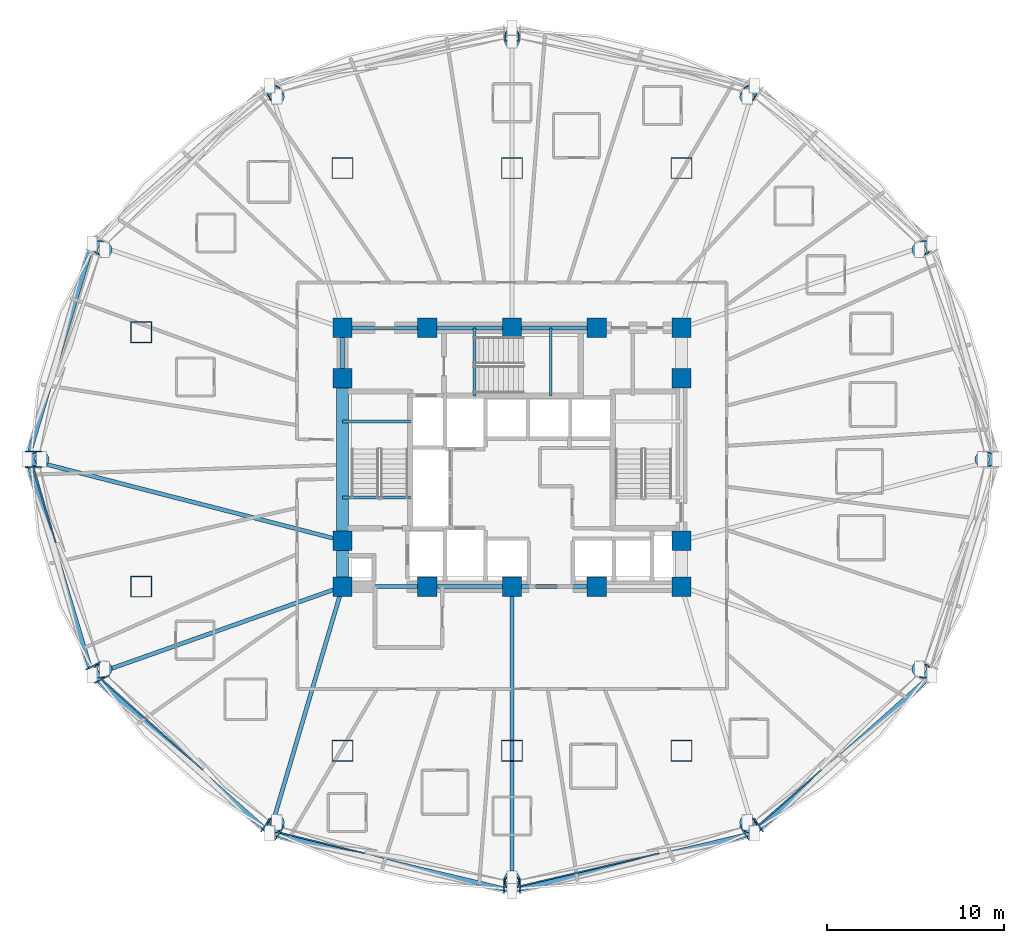
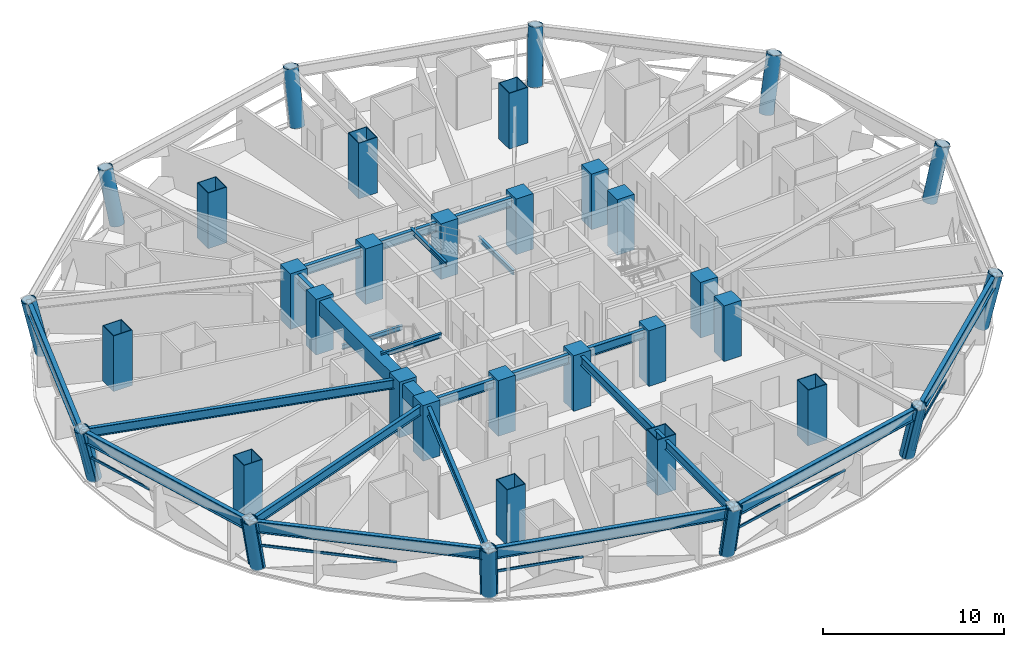
# One storey, part 1 of 13: 34 columns, 23 beams, 15 members, 6 elements without a shape of their own.
"""IFC4 building model written with IfcOpenShell, lengths in metres."""

from ifc_helpers import new_model, si_unit, direction, frame, origin, origin_2d, place, context, subcontext, project, spatial, rectangle, hollow_rectangle, hollow_circle, i_section, extrude, material, layer, layer_set, material_profile, profile_set, type_object, element, aggregate, save


model = new_model("IFC4")

# Units and contexts
model_context = context("Model", 3, precision=1e-05, world=origin(), true_north=direction((0.0, 1.0)))
body_context = subcontext(model_context, "Body", "Model", "MODEL_VIEW")
ifc_project = project(units=[si_unit("LENGTHUNIT", "METRE"), si_unit("AREAUNIT", "SQUARE_METRE"), si_unit("VOLUMEUNIT", "CUBIC_METRE"), si_unit("PLANEANGLEUNIT", "RADIAN"), si_unit("MASSUNIT", "GRAM", prefix="KILO")], contexts=[model_context])

# Site, building, storey
site_placement = place(None, origin())
site = spatial("IfcSite", under=ifc_project, at=site_placement, CompositionType="ELEMENT")
building_placement = place(site_placement, origin())
building = spatial("IfcBuilding", under=site, at=building_placement, Name="Vantalir Tower", CompositionType="ELEMENT")
storey_placement = place(building_placement, frame((0.0, 0.0, 53.25)))
storey = spatial("IfcBuildingStorey", under=building, at=storey_placement, Name="L12", CompositionType="ELEMENT", Elevation=53.25)

# Columns
ifc_material_1 = material(Name="Concrete C60/75", Category="concrete")
ifc_material_profile_1 = material_profile(ifc_material_1, rectangle(XDim=1.10009765625, YDim=1.10009765625, at=origin_2d()), Name="Concrete C60/75")
ifc_profile_set_1 = profile_set([ifc_material_profile_1], Name="Concrete C60/75")
column_type_1 = type_object("IfcColumnType", Name="COL-CC-1100", PredefinedType="COLUMN", material=ifc_profile_set_1)
for number, where, z_axis, x_axis, name in (
    (1, (21.89990234375, 17.800048828125, 0.0), (0.0, 0.0, 1.0), (1.0, 0.0, 0.0), "L12 Core Column CC01"),
    (2, (26.699951171875, 17.800048828125, 0.0), (0.0, 0.0, 1.0), (1.0, 0.0, 0.0), "L12 Core Column CC02"),
    (3, (31.5, 17.800048828125, 0.0), (0.0, 0.0, 1.0), (1.0, 0.0, 0.0), "L12 Core Column CC03"),
    (4, (36.300048828125, 17.800048828125, 0.0), (0.0, 0.0, 1.0), (1.0, 0.0, 0.0), "L12 Core Column CC04"),
    (5, (41.10009765625, 17.800048828125, 0.0), (0.0, 0.0, 1.0), (1.0, 0.0, 0.0), "L12 Core Column CC05"),
    (6, (21.89990234375, 20.39990234375, 0.0), (0.0, 0.0, 1.0), (1.0, 0.0, 0.0), "L12 Core Column CC06"),
    (7, (21.89990234375, 29.60009765625, 0.0), (0.0, 0.0, 1.0), (1.0, 0.0, 0.0), "L12 Core Column CC07"),
    (8, (41.10009765625, 20.39990234375, 0.0), (0.0, 0.0, 1.0), (1.0, 0.0, 0.0), "L12 Core Column CC08"),
    (9, (41.10009765625, 29.60009765625, 0.0), (0.0, 0.0, 1.0), (1.0, 0.0, 0.0), "L12 Core Column CC09"),
    (10, (21.89990234375, 32.449951171875, 0.0), (0.0, 0.0, 1.0), (1.0, 0.0, 0.0), "L12 Core Column CC10"),
    (11, (26.699951171875, 32.449951171875, 0.0), (0.0, 0.0, 1.0), (1.0, 0.0, 0.0), "L12 Core Column CC11"),
    (12, (31.5, 32.449951171875, 0.0), (0.0, 0.0, 1.0), (1.0, 0.0, 0.0), "L12 Core Column CC12"),
    (13, (36.300048828125, 32.449951171875, 0.0), (0.0, 0.0, 1.0), (1.0, 0.0, 0.0), "L12 Core Column CC13"),
    (14, (41.10009765625, 32.449951171875, 0.0), (0.0, 0.0, 1.0), (1.0, 0.0, 0.0), "L12 Core Column CC14"),
):
    element("IfcColumn", number, at=place(storey_placement, frame(where, z_axis=z_axis, x_axis=x_axis)), inside=storey, type_object=column_type_1, Name=name, PredefinedType="COLUMN", context=body_context, shape_type="SweptSolid", body=[
        extrude(rectangle(XDim=1.10009765625, YDim=1.10009765625, at=origin_2d()), origin(), (0.0, 0.0, 1.0), 3.75),
    ])
ifc_material_2 = material(Name="Steel S460", Category="steel")
ifc_material_profile_2 = material_profile(ifc_material_2, hollow_rectangle(XDim=1.199951171875, YDim=1.199951171875, WallThickness=0.044921875, at=origin_2d()), Name="Steel S460")
ifc_profile_set_2 = profile_set([ifc_material_profile_2], Name="Steel S460")
column_type_2 = type_object("IfcColumnType", Name="COL-MC-1200", PredefinedType="COLUMN", material=ifc_profile_set_2)
for number, where, z_axis, x_axis, name in (
    (15, (21.89990234375, 8.5, 0.0), (0.0, 0.0, 1.0), (1.0, 0.0, 0.0), "L12 S460 Mega-Column MC01"),
    (16, (31.5, 8.5, 0.0), (0.0, 0.0, 1.0), (1.0, 0.0, 0.0), "L12 S460 Mega-Column MC02"),
    (17, (41.10009765625, 8.5, 0.0), (0.0, 0.0, 1.0), (1.0, 0.0, 0.0), "L12 S460 Mega-Column MC03"),
    (18, (10.5, 17.800048828125, 0.0), (0.0, 0.0, 1.0), (1.0, 0.0, 0.0), "L12 S460 Mega-Column MC04"),
    (19, (10.5, 32.199951171875, 0.0), (0.0, 0.0, 1.0), (1.0, 0.0, 0.0), "L12 S460 Mega-Column MC05"),
    (20, (21.89990234375, 41.5, 0.0), (0.0, 0.0, 1.0), (1.0, 0.0, 0.0), "L12 S460 Mega-Column MC06"),
    (21, (31.5, 41.5, 0.0), (0.0, 0.0, 1.0), (1.0, 0.0, 0.0), "L12 S460 Mega-Column MC07"),
    (22, (41.10009765625, 41.5, 0.0), (0.0, 0.0, 1.0), (1.0, 0.0, 0.0), "L12 S460 Mega-Column MC08"),
):
    element("IfcColumn", number, at=place(storey_placement, frame(where, z_axis=z_axis, x_axis=x_axis)), inside=storey, type_object=column_type_2, Name=name, PredefinedType="COLUMN", context=body_context, shape_type="SweptSolid", body=[
        extrude(hollow_rectangle(XDim=1.199951171875, YDim=1.199951171875, WallThickness=0.044921875, at=origin_2d()), origin(), (0.0, 0.0, 1.0), 3.75),
    ])
ifc_material_profile_3 = material_profile(ifc_material_2, hollow_circle(Radius=0.425048828125, WallThickness=0.0400390625, at=origin_2d()), Name="Steel S460")
ifc_profile_set_3 = profile_set([ifc_material_profile_3], Name="Steel S460")
column_type_3 = type_object("IfcColumnType", Name="COL-RC-850", PredefinedType="COLUMN", material=ifc_profile_set_3)
column_1_placement = place(storey_placement, frame((58.138916015625, 25.0, 0.0), z_axis=(0.221785382613, 0.0, 0.975095505096), x_axis=(0.0, 1.0, 0.0)))
element("IfcColumn", 23, at=column_1_placement, inside=storey, type_object=column_type_3, Name="L12 Perimeter Ring Column RC01", PredefinedType="COLUMN", context=body_context, shape_type="SweptSolid", body=[
    extrude(hollow_circle(Radius=0.425048828125, WallThickness=0.0400390625, at=origin_2d()), origin(), (0.0, 0.0, 1.0), 3.6611328125),
])
column_2_placement = place(storey_placement, frame((54.570068359375, 36.863037109375, 0.0), z_axis=(0.192223999714, 0.099016391655, 0.976343017652), x_axis=(-0.45792701067, 0.888989793473, 0.0)))
element("IfcColumn", 24, at=column_2_placement, inside=storey, type_object=column_type_3, Name="L12 Perimeter Ring Column RC02", PredefinedType="COLUMN", context=body_context, shape_type="SweptSolid", body=[
    extrude(hollow_circle(Radius=0.425048828125, WallThickness=0.0400390625, at=origin_2d()), origin(), (0.0, 0.0, 1.0), 3.656494140625),
])
column_3_placement = place(storey_placement, frame((44.820068359375, 45.547119140625, 0.0), z_axis=(0.111309599924, 0.172151708361, 0.978761442985), x_axis=(-0.839754063035, 0.542966954443, 0.0)))
element("IfcColumn", 25, at=column_3_placement, inside=storey, type_object=column_type_3, Name="L12 Perimeter Ring Column RC03", PredefinedType="COLUMN", context=body_context, shape_type="SweptSolid", body=[
    extrude(hollow_circle(Radius=0.425048828125, WallThickness=0.0400390625, at=origin_2d()), origin(), (0.0, 0.0, 1.0), 3.6474609375),
])
column_4_placement = place(storey_placement, frame((31.5, 48.72607421875, 0.0), z_axis=(0.0, 0.198976453548, 0.980004270875), x_axis=(-1.0, 0.0, 0.0)))
element("IfcColumn", 26, at=column_4_placement, inside=storey, type_object=column_type_3, Name="L12 Perimeter Ring Column RC04", PredefinedType="COLUMN", context=body_context, shape_type="SweptSolid", body=[
    extrude(hollow_circle(Radius=0.425048828125, WallThickness=0.0400390625, at=origin_2d()), origin(), (0.0, 0.0, 1.0), 3.642822265625),
])
column_5_placement = place(storey_placement, frame((18.180908203125, 45.547119140625, 0.0), z_axis=(-0.111309599924, 0.172151708361, 0.978761442985), x_axis=(-0.839754063035, -0.542966954443, 0.0)))
element("IfcColumn", 27, at=column_5_placement, inside=storey, type_object=column_type_3, Name="L12 Perimeter Ring Column RC05", PredefinedType="COLUMN", context=body_context, shape_type="SweptSolid", body=[
    extrude(hollow_circle(Radius=0.425048828125, WallThickness=0.0400390625, at=origin_2d()), origin(), (0.0, 0.0, 1.0), 3.6474609375),
])
column_6_placement = place(storey_placement, frame((8.429931640625, 36.863037109375, 0.0), z_axis=(-0.192223999714, 0.099016391655, 0.976343017652), x_axis=(-0.45792701067, -0.888989793473, 0.0)))
element("IfcColumn", 28, at=column_6_placement, inside=storey, type_object=column_type_3, Name="L12 Perimeter Ring Column RC06", PredefinedType="COLUMN", context=body_context, shape_type="SweptSolid", body=[
    extrude(hollow_circle(Radius=0.425048828125, WallThickness=0.0400390625, at=origin_2d()), origin(), (0.0, 0.0, 1.0), 3.656494140625),
])
column_7_placement = place(storey_placement, frame((4.861083984375, 25.0, 0.0), z_axis=(-0.221785382613, 0.0, 0.975095505096), x_axis=(0.0, -1.0, 0.0)))
element("IfcColumn", 29, at=column_7_placement, inside=storey, type_object=column_type_3, Name="L12 Perimeter Ring Column RC07", PredefinedType="COLUMN", context=body_context, shape_type="SweptSolid", body=[
    extrude(hollow_circle(Radius=0.425048828125, WallThickness=0.0400390625, at=origin_2d()), origin(), (0.0, 0.0, 1.0), 3.6611328125),
])
column_8_placement = place(storey_placement, frame((8.429931640625, 13.136962890625, 0.0), z_axis=(-0.192218909821, -0.099280833242, 0.976317165095), x_axis=(0.458902314779, -0.888486727808, 0.0)))
element("IfcColumn", 30, at=column_8_placement, inside=storey, type_object=column_type_3, Name="L12 Perimeter Ring Column RC08", PredefinedType="COLUMN", context=body_context, shape_type="SweptSolid", body=[
    extrude(hollow_circle(Radius=0.425048828125, WallThickness=0.0400390625, at=origin_2d()), origin(), (0.0, 0.0, 1.0), 3.65673828125),
])
column_9_placement = place(storey_placement, frame((18.179931640625, 4.452880859375, 0.0), z_axis=(-0.111309599924, -0.172151708361, 0.978761442985), x_axis=(0.839754063035, -0.542966954443, 0.0)))
element("IfcColumn", 31, at=column_9_placement, inside=storey, type_object=column_type_3, Name="L12 Perimeter Ring Column RC09", PredefinedType="COLUMN", context=body_context, shape_type="SweptSolid", body=[
    extrude(hollow_circle(Radius=0.425048828125, WallThickness=0.0400390625, at=origin_2d()), origin(), (0.0, 0.0, 1.0), 3.6474609375),
])
column_10_placement = place(storey_placement, frame((31.5, 1.27392578125, 0.0), z_axis=(0.0, -0.198976453548, 0.980004270875), x_axis=(1.0, 0.0, 0.0)))
element("IfcColumn", 32, at=column_10_placement, inside=storey, type_object=column_type_3, Name="L12 Perimeter Ring Column RC10", PredefinedType="COLUMN", context=body_context, shape_type="SweptSolid", body=[
    extrude(hollow_circle(Radius=0.425048828125, WallThickness=0.0400390625, at=origin_2d()), origin(), (0.0, 0.0, 1.0), 3.642822265625),
])
column_11_placement = place(storey_placement, frame((44.820068359375, 4.452880859375, 0.0), z_axis=(0.111309599924, -0.172151708361, 0.978761442985), x_axis=(0.839754063035, 0.542966954443, 0.0)))
element("IfcColumn", 33, at=column_11_placement, inside=storey, type_object=column_type_3, Name="L12 Perimeter Ring Column RC11", PredefinedType="COLUMN", context=body_context, shape_type="SweptSolid", body=[
    extrude(hollow_circle(Radius=0.425048828125, WallThickness=0.0400390625, at=origin_2d()), origin(), (0.0, 0.0, 1.0), 3.6474609375),
])
column_12_placement = place(storey_placement, frame((54.570068359375, 13.136962890625, 0.0), z_axis=(0.192218909821, -0.099280833242, 0.976317165095), x_axis=(0.458902314779, 0.888486727808, 0.0)))
element("IfcColumn", 34, at=column_12_placement, inside=storey, type_object=column_type_3, Name="L12 Perimeter Ring Column RC12", PredefinedType="COLUMN", context=body_context, shape_type="SweptSolid", body=[
    extrude(hollow_circle(Radius=0.425048828125, WallThickness=0.0400390625, at=origin_2d()), origin(), (0.0, 0.0, 1.0), 3.65673828125),
])

# Beams
ifc_material_profile_4 = material_profile(ifc_material_1, rectangle(XDim=0.699951171875, YDim=0.949951171875, at=origin_2d()), Name="Concrete C60/75")
ifc_profile_set_4 = profile_set([ifc_material_profile_4], Name="Concrete C60/75")
beam_type_1 = type_object("IfcBeamType", Name="BM-CB-700x950", PredefinedType="USERDEFINED", material=ifc_profile_set_4)
beam_1_placement = place(storey_placement, frame((21.89990234375, 29.60009765625, 3.094970703125), z_axis=(0.0, -1.0, 0.0), x_axis=(1.0, 0.0, 0.0)))
element("IfcBeam", 35, at=beam_1_placement, inside=storey, type_object=beam_type_1, Name="L12 Core Coupling Girder 13", ObjectType="GIRDER", PredefinedType="USERDEFINED", context=body_context, shape_type="SweptSolid", body=[
    extrude(rectangle(XDim=0.699951171875, YDim=0.949951171875, at=origin_2d()), origin(), (0.0, 0.0, 1.0), 9.2001953125),
])
beam_2_placement = place(storey_placement, frame((21.89990234375, 20.39990234375, 3.094970703125), z_axis=(0.0, -1.0, 0.0), x_axis=(1.0, 0.0, 0.0)))
element("IfcBeam", 36, at=beam_2_placement, inside=storey, type_object=beam_type_1, Name="L12 Core Coupling Girder 14", ObjectType="GIRDER", PredefinedType="USERDEFINED", context=body_context, shape_type="SweptSolid", body=[
    extrude(rectangle(XDim=0.699951171875, YDim=0.949951171875, at=origin_2d()), origin(), (0.0, 0.0, 1.0), 2.599853515625),
])
ifc_material_3 = material(Name="Steel S355", Category="steel")
ifc_material_profile_5 = material_profile(ifc_material_3, i_section(OverallWidth=0.166015625, OverallDepth=0.306884765625, WebThickness=0.006591796875, FlangeThickness=0.01171875, at=origin_2d()), Name="Steel S355")
ifc_profile_set_5 = profile_set([ifc_material_profile_5], Name="Steel S355")
beam_type_2 = type_object("IfcBeamType", Name="BM-JS-305x165", PredefinedType="JOIST", material=ifc_profile_set_5)
for number, where, z_axis, x_axis, name in (
    (37, (21.89990234375, 22.8349609375, 3.595947265625), (1.0, 0.0, 0.0), (0.0, 1.0, 0.0), "L13 Stair ST1 Well Nosing Trimmer Beam"),
    (38, (21.89990234375, 27.14501953125, 1.52099609375), (1.0, 0.0, 0.0), (0.0, 1.0, 0.0), "L12 Stair ST1 Half-Landing Support Beam"),
):
    element("IfcBeam", number, at=place(storey_placement, frame(where, z_axis=z_axis, x_axis=x_axis)), inside=storey, type_object=beam_type_2, Name=name, PredefinedType="JOIST", context=body_context, shape_type="SweptSolid", body=[
        extrude(i_section(OverallWidth=0.166015625, OverallDepth=0.306884765625, WebThickness=0.006591796875, FlangeThickness=0.01171875, at=origin_2d()), origin(), (0.0, 0.0, 1.0), 3.840087890625),
    ])
for number, where, z_axis, x_axis, name in (
    (39, (29.385009765625, 28.60009765625, 3.595947265625), (0.0, 1.0, 0.0), (-1.0, 0.0, 0.0), "L13 Stair ST3 Well Nosing Trimmer Beam"),
    (40, (33.695068359375, 28.60009765625, 1.52099609375), (0.0, 1.0, 0.0), (-1.0, 0.0, 0.0), "L12 Stair ST3 Half-Landing Support Beam"),
):
    element("IfcBeam", number, at=place(storey_placement, frame(where, z_axis=z_axis, x_axis=x_axis)), inside=storey, type_object=beam_type_2, Name=name, PredefinedType="JOIST", context=body_context, shape_type="SweptSolid", body=[
        extrude(i_section(OverallWidth=0.166015625, OverallDepth=0.306884765625, WebThickness=0.006591796875, FlangeThickness=0.01171875, at=origin_2d()), origin(), (0.0, 0.0, 1.0), 3.849853515625),
    ])
ifc_material_profile_6 = material_profile(ifc_material_3, i_section(OverallWidth=0.22998046875, OverallDepth=0.616943359375, WebThickness=0.01318359375, FlangeThickness=0.022216796875, at=origin_2d()), Name="Steel S355")
ifc_profile_set_6 = profile_set([ifc_material_profile_6], Name="Steel S355")
beam_type_3 = type_object("IfcBeamType", Name="BM-RB-610x229", PredefinedType="BEAM", material=ifc_profile_set_6)
for number, where, z_axis, x_axis, name in (
    (41, (21.89990234375, 17.800048828125, 3.261962890625), (1.0, 0.0, 0.0), (0.0, 1.0, 0.0), "L12 Core Coupling Girder 01"),
    (42, (26.699951171875, 17.800048828125, 3.261962890625), (1.0, 0.0, 0.0), (0.0, 1.0, 0.0), "L12 Core Coupling Girder 02"),
    (43, (31.5, 17.800048828125, 3.261962890625), (1.0, 0.0, 0.0), (0.0, 1.0, 0.0), "L12 Core Coupling Girder 03"),
    (44, (36.300048828125, 32.449951171875, 3.261962890625), (-1.0, 0.0, 0.0), (0.0, -1.0, 0.0), "L12 Core Coupling Girder 09"),
    (45, (31.5, 32.449951171875, 3.261962890625), (-1.0, 0.0, 0.0), (0.0, -1.0, 0.0), "L12 Core Coupling Girder 10"),
    (46, (26.699951171875, 32.449951171875, 3.261962890625), (-1.0, 0.0, 0.0), (0.0, -1.0, 0.0), "L12 Core Coupling Girder 11"),
):
    element("IfcBeam", number, at=place(storey_placement, frame(where, z_axis=z_axis, x_axis=x_axis)), inside=storey, type_object=beam_type_3, Name=name, PredefinedType="BEAM", context=body_context, shape_type="SweptSolid", body=[
        extrude(i_section(OverallWidth=0.22998046875, OverallDepth=0.616943359375, WebThickness=0.01318359375, FlangeThickness=0.022216796875, at=origin_2d()), origin(), (0.0, 0.0, 1.0), 4.800048828125),
    ])
beam_3_placement = place(storey_placement, frame((21.89990234375, 32.449951171875, 3.261962890625), z_axis=(0.0, -1.0, 0.0), x_axis=(1.0, 0.0, 0.0)))
element("IfcBeam", 47, at=beam_3_placement, inside=storey, type_object=beam_type_3, Name="L12 Core Coupling Girder 12", PredefinedType="BEAM", context=body_context, shape_type="SweptSolid", body=[
    extrude(i_section(OverallWidth=0.22998046875, OverallDepth=0.616943359375, WebThickness=0.01318359375, FlangeThickness=0.022216796875, at=origin_2d()), origin(), (0.0, 0.0, 1.0), 2.849853515625),
])
beam_4_placement = place(storey_placement, frame((4.049072265625, 25.0, 3.261962890625), z_axis=(0.968363475004, -0.249543944582, 0.0), x_axis=(0.249543944582, 0.968363475004, 0.0)))
element("IfcBeam", 48, at=beam_4_placement, inside=storey, type_object=beam_type_3, Name="L12 Radial Floor Beam 07", PredefinedType="BEAM", context=body_context, shape_type="SweptSolid", body=[
    extrude(i_section(OverallWidth=0.22998046875, OverallDepth=0.616943359375, WebThickness=0.01318359375, FlangeThickness=0.022216796875, at=origin_2d()), origin(), (0.0, 0.0, 1.0), 18.43408203125),
])
beam_5_placement = place(storey_placement, frame((7.72705078125, 12.77392578125, 3.261962890625), z_axis=(0.942489624412, 0.334235407872, 0.0), x_axis=(-0.334235407872, 0.942489624412, 0.0)))
element("IfcBeam", 49, at=beam_5_placement, inside=storey, type_object=beam_type_3, Name="L12 Radial Floor Beam 08", PredefinedType="BEAM", context=body_context, shape_type="SweptSolid", body=[
    extrude(i_section(OverallWidth=0.22998046875, OverallDepth=0.616943359375, WebThickness=0.01318359375, FlangeThickness=0.022216796875, at=origin_2d()), origin(), (0.0, 0.0, 1.0), 15.03759765625),
])
beam_6_placement = place(storey_placement, frame((17.77392578125, 3.824951171875, 3.261962890625), z_axis=(0.28315491657, 0.959074185463, 0.0), x_axis=(-0.959074185463, 0.28315491657, 0.0)))
element("IfcBeam", 50, at=beam_6_placement, inside=storey, type_object=beam_type_3, Name="L12 Radial Floor Beam 09", PredefinedType="BEAM", context=body_context, shape_type="SweptSolid", body=[
    extrude(i_section(OverallWidth=0.22998046875, OverallDepth=0.616943359375, WebThickness=0.01318359375, FlangeThickness=0.022216796875, at=origin_2d()), origin(), (0.0, 0.0, 1.0), 14.571533203125),
])
beam_7_placement = place(storey_placement, frame((31.5, 0.549072265625, 3.261962890625), z_axis=(0.0, 1.0, 0.0), x_axis=(-1.0, 0.0, 0.0)))
element("IfcBeam", 51, at=beam_7_placement, inside=storey, type_object=beam_type_3, Name="L12 Radial Floor Beam 10", PredefinedType="BEAM", context=body_context, shape_type="SweptSolid", body=[
    extrude(i_section(OverallWidth=0.22998046875, OverallDepth=0.616943359375, WebThickness=0.01318359375, FlangeThickness=0.022216796875, at=origin_2d()), origin(), (0.0, 0.0, 1.0), 17.2509765625),
])
ifc_material_profile_7 = material_profile(ifc_material_2, i_section(OverallWidth=0.26806640625, OverallDepth=0.77001953125, WebThickness=0.015625, FlangeThickness=0.025390625, at=origin_2d()), Name="Steel S460")
ifc_profile_set_7 = profile_set([ifc_material_profile_7], Name="Steel S460")
beam_type_4 = type_object("IfcBeamType", Name="BM-RG-762x267", PredefinedType="USERDEFINED", material=ifc_profile_set_7)
beam_8_placement = place(storey_placement, frame((7.72705078125, 37.22509765625, 3.18505859375), z_axis=(-0.28809870996, -0.957600717063, 0.0), x_axis=(0.957600717063, -0.28809870996, 0.0)))
element("IfcBeam", 52, at=beam_8_placement, inside=storey, type_object=beam_type_4, Name="L12 Circumferential Ring Girder 06", ObjectType="GIRDER", PredefinedType="USERDEFINED", context=body_context, shape_type="SweptSolid", body=[
    extrude(i_section(OverallWidth=0.26806640625, OverallDepth=0.77001953125, WebThickness=0.015625, FlangeThickness=0.025390625, at=origin_2d()), origin(), (0.0, 0.0, 1.0), 12.766357421875),
])
beam_9_placement = place(storey_placement, frame((4.049072265625, 25.0, 3.18505859375), z_axis=(0.288077607768, -0.957607065504, 0.0), x_axis=(0.957607065504, 0.288077607768, 0.0)))
element("IfcBeam", 53, at=beam_9_placement, inside=storey, type_object=beam_type_4, Name="L12 Circumferential Ring Girder 07", ObjectType="GIRDER", PredefinedType="USERDEFINED", context=body_context, shape_type="SweptSolid", body=[
    extrude(i_section(OverallWidth=0.26806640625, OverallDepth=0.77001953125, WebThickness=0.015625, FlangeThickness=0.025390625, at=origin_2d()), origin(), (0.0, 0.0, 1.0), 12.767333984375),
])
beam_10_placement = place(storey_placement, frame((7.72705078125, 12.77392578125, 3.18505859375), z_axis=(0.746729154428, -0.665128235701, 0.0), x_axis=(0.665128235701, 0.746729154428, 0.0)))
element("IfcBeam", 54, at=beam_10_placement, inside=storey, type_object=beam_type_4, Name="L12 Circumferential Ring Girder 08", ObjectType="GIRDER", PredefinedType="USERDEFINED", context=body_context, shape_type="SweptSolid", body=[
    extrude(i_section(OverallWidth=0.26806640625, OverallDepth=0.77001953125, WebThickness=0.015625, FlangeThickness=0.025390625, at=origin_2d()), origin(), (0.0, 0.0, 1.0), 13.45458984375),
])
for number, where, z_axis, x_axis, name in (
    (55, (17.77392578125, 3.824951171875, 3.18505859375), (0.97268207428, -0.232141298294, 0.0), (0.232141298294, 0.97268207428, 0.0), "L12 Circumferential Ring Girder 09"),
    (56, (31.5, 0.549072265625, 3.18505859375), (0.97268207428, 0.232141298294, 0.0), (-0.232141298294, 0.97268207428, 0.0), "L12 Circumferential Ring Girder 10"),
):
    element("IfcBeam", number, at=place(storey_placement, frame(where, z_axis=z_axis, x_axis=x_axis)), inside=storey, type_object=beam_type_4, Name=name, ObjectType="GIRDER", PredefinedType="USERDEFINED", context=body_context, shape_type="SweptSolid", body=[
        extrude(i_section(OverallWidth=0.26806640625, OverallDepth=0.77001953125, WebThickness=0.015625, FlangeThickness=0.025390625, at=origin_2d()), origin(), (0.0, 0.0, 1.0), 14.111572265625),
    ])
beam_11_placement = place(storey_placement, frame((45.22607421875, 3.824951171875, 3.18505859375), z_axis=(0.746729154428, 0.665128235701, 0.0), x_axis=(-0.665128235701, 0.746729154428, 0.0)))
element("IfcBeam", 57, at=beam_11_placement, inside=storey, type_object=beam_type_4, Name="L12 Circumferential Ring Girder 11", ObjectType="GIRDER", PredefinedType="USERDEFINED", context=body_context, shape_type="SweptSolid", body=[
    extrude(i_section(OverallWidth=0.26806640625, OverallDepth=0.77001953125, WebThickness=0.015625, FlangeThickness=0.025390625, at=origin_2d()), origin(), (0.0, 0.0, 1.0), 13.45458984375),
])

# Curtain wall, member
ifc_material_4 = material(Name="Champagne-silver PVDF aluminium and double-silver Low-E glass", Category="aluminium")
ifc_layer = layer(ifc_material_4, 0.18994140625)
ifc_layer_set = layer_set([ifc_layer], Name="Champagne-silver PVDF aluminium and double-silver Low-E glass")
curtain_wall_type = type_object("IfcCurtainWallType", Name="CW-DIAMOND-Z1", PredefinedType="USERDEFINED", material=ifc_layer_set)
curtain_wall_1_placement = place(storey_placement, origin())
curtain_wall_1 = element("IfcCurtainWall", 58, at=curtain_wall_1_placement, inside=storey, type_object=curtain_wall_type, Name="L12 Quilted Pyramid-Diamond Curtain Wall S06", ObjectType="UNITISED CURTAIN WALL", PredefinedType="USERDEFINED")
ifc_material_5 = material(Name="Champagne-silver PVDF aluminium 6063-T6", Category="aluminium")
ifc_material_profile_8 = material_profile(ifc_material_5, hollow_rectangle(XDim=0.074951171875, YDim=0.179931640625, WallThickness=0.00390625, at=origin_2d()), Name="Champagne-silver PVDF aluminium 6063-T6")
ifc_profile_set_8 = profile_set([ifc_material_profile_8], Name="Champagne-silver PVDF aluminium 6063-T6")
member_type_1 = type_object("IfcMemberType", Name="CWM-180x75", PredefinedType="MULLION", material=ifc_profile_set_8)
member_1_placement = place(storey_placement, frame((4.805908203125, 25.449951171875, 0.044921875), z_axis=(-0.227233935129, 0.0, 0.973840201843), x_axis=(0.0, -1.0, 0.0)))
member_1 = element("IfcMember", 59, at=member_1_placement, type_object=member_type_1, Name="CW-L12-S06 Mullion 2", PredefinedType="MULLION", context=body_context, shape_type="SweptSolid", body=[
    extrude(hollow_rectangle(XDim=0.074951171875, YDim=0.179931640625, WallThickness=0.00390625, at=origin_2d()), origin(), (0.0, 0.0, 1.0), 3.573486328125),
])
aggregate(curtain_wall_1, [member_1])

# Curtain wall, members
curtain_wall_2_placement = place(storey_placement, origin())
curtain_wall_2 = element("IfcCurtainWall", 60, at=curtain_wall_2_placement, inside=storey, type_object=curtain_wall_type, Name="L12 Quilted Pyramid-Diamond Curtain Wall S07", ObjectType="UNITISED CURTAIN WALL", PredefinedType="USERDEFINED")
member_2_placement = place(storey_placement, frame((4.805908203125, 24.550048828125, 0.044921875), z_axis=(-0.227233935129, 0.0, 0.973840201843), x_axis=(0.0, -1.0, 0.0)))
member_2 = element("IfcMember", 61, at=member_2_placement, type_object=member_type_1, Name="CW-L12-S07 Mullion 1", PredefinedType="MULLION", context=body_context, shape_type="SweptSolid", body=[
    extrude(hollow_rectangle(XDim=0.074951171875, YDim=0.179931640625, WallThickness=0.00390625, at=origin_2d()), origin(), (0.0, 0.0, 1.0), 3.573486328125),
])
member_3_placement = place(storey_placement, frame((8.1298828125, 13.491943359375, 0.044921875), z_axis=(-0.196953390294, -0.101726186651, 0.975121092481), x_axis=(0.458902314779, -0.888486727808, 0.0)))
member_3 = element("IfcMember", 62, at=member_3_placement, type_object=member_type_1, Name="CW-L12-S07 Mullion 2", PredefinedType="MULLION", context=body_context, shape_type="SweptSolid", body=[
    extrude(hollow_rectangle(XDim=0.074951171875, YDim=0.179931640625, WallThickness=0.00390625, at=origin_2d()), origin(), (0.0, 0.0, 1.0), 3.56884765625),
])

curtain_wall_3_placement = place(storey_placement, origin())
curtain_wall_3 = element("IfcCurtainWall", 63, at=curtain_wall_3_placement, inside=storey, type_object=curtain_wall_type, Name="L12 Quilted Pyramid-Diamond Curtain Wall S08", ObjectType="UNITISED CURTAIN WALL", PredefinedType="USERDEFINED")
member_4_placement = place(storey_placement, frame((8.615966796875, 12.72900390625, 0.044921875), z_axis=(-0.196953390294, -0.101726186651, 0.975121092481), x_axis=(0.458902314779, -0.888486727808, 0.0)))
member_4 = element("IfcMember", 64, at=member_4_placement, type_object=member_type_1, Name="CW-L12-S08 Mullion 1", PredefinedType="MULLION", context=body_context, shape_type="SweptSolid", body=[
    extrude(hollow_rectangle(XDim=0.074951171875, YDim=0.179931640625, WallThickness=0.00390625, at=origin_2d()), origin(), (0.0, 0.0, 1.0), 3.56884765625),
])
member_5_placement = place(storey_placement, frame((17.73388671875, 4.60107421875, 0.044921875), z_axis=(-0.114064109014, -0.176480428439, 0.977672766018), x_axis=(0.839850279491, -0.542818116904, 0.0)))
member_5 = element("IfcMember", 65, at=member_5_placement, type_object=member_type_1, Name="CW-L12-S08 Mullion 2", PredefinedType="MULLION", context=body_context, shape_type="SweptSolid", body=[
    extrude(hollow_rectangle(XDim=0.074951171875, YDim=0.179931640625, WallThickness=0.00390625, at=origin_2d()), origin(), (0.0, 0.0, 1.0), 3.5595703125),
])

curtain_wall_4_placement = place(storey_placement, origin())
curtain_wall_4 = element("IfcCurtainWall", 66, at=curtain_wall_4_placement, inside=storey, type_object=curtain_wall_type, Name="L12 Quilted Pyramid-Diamond Curtain Wall S09", ObjectType="UNITISED CURTAIN WALL", PredefinedType="USERDEFINED")
member_6_placement = place(storey_placement, frame((18.5419921875, 4.178955078125, 0.044921875), z_axis=(-0.11406548948, -0.176413974109, 0.977684598349), x_axis=(0.839754063035, -0.542966954443, 0.0)))
member_6 = element("IfcMember", 67, at=member_6_placement, type_object=member_type_1, Name="CW-L12-S09 Mullion 1", PredefinedType="MULLION", context=body_context, shape_type="SweptSolid", body=[
    extrude(hollow_rectangle(XDim=0.074951171875, YDim=0.179931640625, WallThickness=0.00390625, at=origin_2d()), origin(), (0.0, 0.0, 1.0), 3.559326171875),
])
member_7_placement = place(storey_placement, frame((31.04296875, 1.193115234375, 0.044921875), z_axis=(0.0, -0.203981680601, 0.978974705485), x_axis=(1.0, 0.0, 0.0)))
member_7 = element("IfcMember", 68, at=member_7_placement, type_object=member_type_1, Name="CW-L12-S09 Mullion 2", PredefinedType="MULLION", context=body_context, shape_type="SweptSolid", body=[
    extrude(hollow_rectangle(XDim=0.074951171875, YDim=0.179931640625, WallThickness=0.00390625, at=origin_2d()), origin(), (0.0, 0.0, 1.0), 3.5546875),
])

curtain_wall_5_placement = place(storey_placement, origin())
curtain_wall_5 = element("IfcCurtainWall", 69, at=curtain_wall_5_placement, inside=storey, type_object=curtain_wall_type, Name="L12 Quilted Pyramid-Diamond Curtain Wall S10", ObjectType="UNITISED CURTAIN WALL", PredefinedType="USERDEFINED")
member_8_placement = place(storey_placement, frame((31.95703125, 1.193115234375, 0.044921875), z_axis=(0.0, -0.203981680601, 0.978974705485), x_axis=(1.0, 0.0, 0.0)))
member_8 = element("IfcMember", 70, at=member_8_placement, type_object=member_type_1, Name="CW-L12-S10 Mullion 1", PredefinedType="MULLION", context=body_context, shape_type="SweptSolid", body=[
    extrude(hollow_rectangle(XDim=0.074951171875, YDim=0.179931640625, WallThickness=0.00390625, at=origin_2d()), origin(), (0.0, 0.0, 1.0), 3.5546875),
])
member_9_placement = place(storey_placement, frame((44.4580078125, 4.178955078125, 0.044921875), z_axis=(0.11406548948, -0.176413974109, 0.977684598349), x_axis=(0.839754063035, 0.542966954443, 0.0)))
member_9 = element("IfcMember", 71, at=member_9_placement, type_object=member_type_1, Name="CW-L12-S10 Mullion 2", PredefinedType="MULLION", context=body_context, shape_type="SweptSolid", body=[
    extrude(hollow_rectangle(XDim=0.074951171875, YDim=0.179931640625, WallThickness=0.00390625, at=origin_2d()), origin(), (0.0, 0.0, 1.0), 3.559326171875),
])

# Curtain wall, member
curtain_wall_6_placement = place(storey_placement, origin())
curtain_wall_6 = element("IfcCurtainWall", 72, at=curtain_wall_6_placement, inside=storey, type_object=curtain_wall_type, Name="L12 Quilted Pyramid-Diamond Curtain Wall S11", ObjectType="UNITISED CURTAIN WALL", PredefinedType="USERDEFINED")
member_10_placement = place(storey_placement, frame((45.26611328125, 4.60107421875, 0.044921875), z_axis=(0.114064109014, -0.176480428439, 0.977672766018), x_axis=(0.839850279491, 0.542818116904, 0.0)))
member_10 = element("IfcMember", 73, at=member_10_placement, type_object=member_type_1, Name="CW-L12-S11 Mullion 1", PredefinedType="MULLION", context=body_context, shape_type="SweptSolid", body=[
    extrude(hollow_rectangle(XDim=0.074951171875, YDim=0.179931640625, WallThickness=0.00390625, at=origin_2d()), origin(), (0.0, 0.0, 1.0), 3.5595703125),
])

# Member
ifc_material_profile_9 = material_profile(ifc_material_5, hollow_rectangle(XDim=0.074951171875, YDim=0.159912109375, WallThickness=0.00390625, at=origin_2d()), Name="Champagne-silver PVDF aluminium 6063-T6")
ifc_profile_set_9 = profile_set([ifc_material_profile_9], Name="Champagne-silver PVDF aluminium 6063-T6")
member_type_2 = type_object("IfcMemberType", Name="CWT-160x75", PredefinedType="USERDEFINED", material=ifc_profile_set_9)
member_11_placement = place(storey_placement, frame((4.39990234375, 24.550048828125, 1.784912109375), z_axis=(0.282706028366, -0.959206600022, 0.0), x_axis=(0.959206600022, 0.282706028366, 0.0)))
member_11 = element("IfcMember", 74, at=member_11_placement, type_object=member_type_2, Name="CW-L12-S07 Pyramid Fold Ridge Transom", ObjectType="TRANSOM", PredefinedType="USERDEFINED", context=body_context, shape_type="SweptSolid", body=[
    extrude(hollow_rectangle(XDim=0.074951171875, YDim=0.159912109375, WallThickness=0.00390625, at=origin_2d()), origin(), (0.0, 0.0, 1.0), 4.45703125),
])

aggregate(curtain_wall_2, [member_2, member_3, member_11])

member_12_placement = place(storey_placement, frame((8.263916015625, 12.548095703125, 1.784912109375), z_axis=(0.744387822053, -0.667747534911, 0.0), x_axis=(0.667747534911, 0.744387822053, 0.0)))
member_12 = element("IfcMember", 75, at=member_12_placement, type_object=member_type_2, Name="CW-L12-S08 Pyramid Fold Ridge Transom", ObjectType="TRANSOM", PredefinedType="USERDEFINED", context=body_context, shape_type="SweptSolid", body=[
    extrude(hollow_rectangle(XDim=0.074951171875, YDim=0.159912109375, WallThickness=0.00390625, at=origin_2d()), origin(), (0.0, 0.0, 1.0), 7.6962890625),
])

aggregate(curtain_wall_3, [member_4, member_5, member_12])

member_13_placement = place(storey_placement, frame((18.339111328125, 3.864990234375, 1.784912109375), z_axis=(0.971487995976, -0.237088746409, 0.0), x_axis=(0.237088746409, 0.971487995976, 0.0)))
member_13 = element("IfcMember", 76, at=member_13_placement, type_object=member_type_2, Name="CW-L12-S09 Pyramid Fold Ridge Transom", ObjectType="TRANSOM", PredefinedType="USERDEFINED", context=body_context, shape_type="SweptSolid", body=[
    extrude(hollow_rectangle(XDim=0.074951171875, YDim=0.159912109375, WallThickness=0.00390625, at=origin_2d()), origin(), (0.0, 0.0, 1.0), 4.960205078125),
])

aggregate(curtain_wall_4, [member_6, member_7, member_13])

member_14_placement = place(storey_placement, frame((31.95703125, 0.8310546875, 1.784912109375), z_axis=(0.973345185988, 0.229345043359, 0.0), x_axis=(-0.229345043359, 0.973345185988, 0.0)))
member_14 = element("IfcMember", 77, at=member_14_placement, type_object=member_type_2, Name="CW-L12-S10 Pyramid Fold Ridge Transom", ObjectType="TRANSOM", PredefinedType="USERDEFINED", context=body_context, shape_type="SweptSolid", body=[
    extrude(hollow_rectangle(XDim=0.074951171875, YDim=0.159912109375, WallThickness=0.00390625, at=origin_2d()), origin(), (0.0, 0.0, 1.0), 8.100830078125),
])

aggregate(curtain_wall_5, [member_8, member_9, member_14])

member_15_placement = place(storey_placement, frame((45.468994140625, 4.287109375, 1.784912109375), z_axis=(0.749839365332, 0.661619925787, 0.0), x_axis=(-0.661619925787, 0.749839365332, 0.0)))
member_15 = element("IfcMember", 78, at=member_15_placement, type_object=member_type_2, Name="CW-L12-S11 Pyramid Fold Ridge Transom", ObjectType="TRANSOM", PredefinedType="USERDEFINED", context=body_context, shape_type="SweptSolid", body=[
    extrude(hollow_rectangle(XDim=0.074951171875, YDim=0.159912109375, WallThickness=0.00390625, at=origin_2d()), origin(), (0.0, 0.0, 1.0), 4.718505859375),
])

aggregate(curtain_wall_6, [member_10, member_15])

save(model, "model.ifc")
